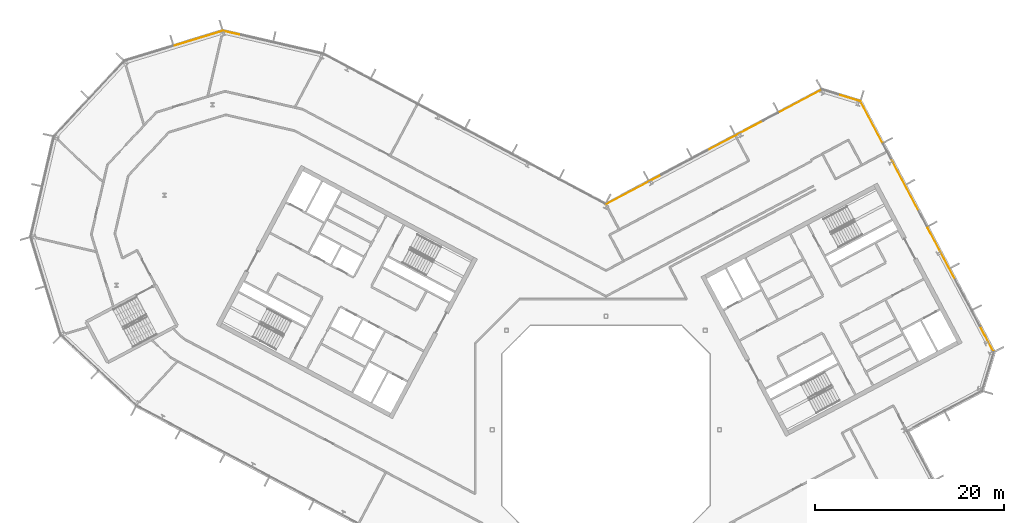
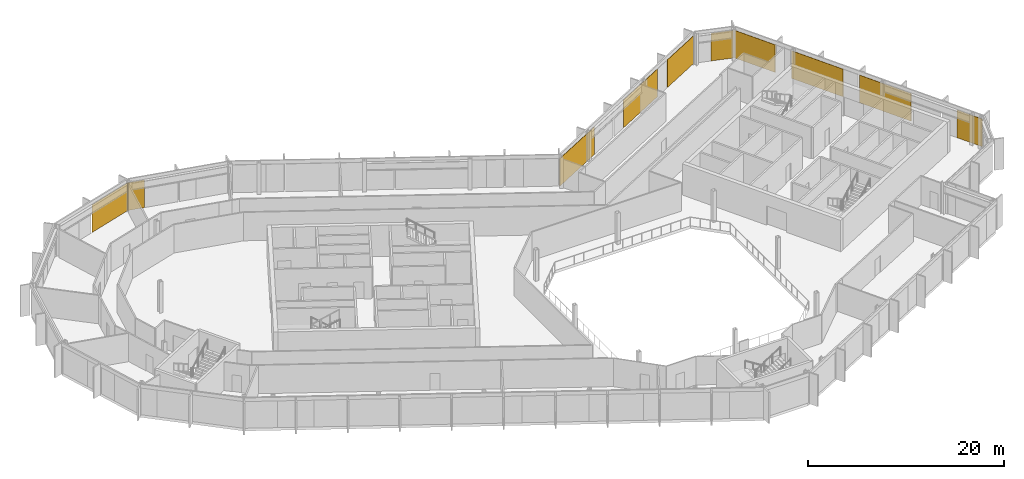
# One storey, part 26 of 26: 10 coverings, 5 elements without a shape of their own.
"""IFC4 building model written with IfcOpenShell, lengths in metres."""

from ifc_helpers import new_model, si_unit, direction, frame, origin, origin_2d, place, context, subcontext, project, spatial, rectangle, extrude, material, layer, layer_set, type_object, element, aggregate, save


model = new_model("IFC4")

# Units and contexts
model_context = context("Model", 3, precision=1e-05, world=origin(), true_north=direction((0.0, 1.0)))
body_context = subcontext(model_context, "Body", "Model", "MODEL_VIEW")
ifc_project = project(units=[si_unit("LENGTHUNIT", "METRE"), si_unit("AREAUNIT", "SQUARE_METRE"), si_unit("VOLUMEUNIT", "CUBIC_METRE"), si_unit("PLANEANGLEUNIT", "RADIAN"), si_unit("MASSUNIT", "GRAM", prefix="KILO")], contexts=[model_context])

# Site, building, storey
site_placement = place(None, origin())
site = spatial("IfcSite", under=ifc_project, at=site_placement, CompositionType="ELEMENT")
building_placement = place(site_placement, origin())
building = spatial("IfcBuilding", under=site, at=building_placement, Name="Cormorant Relay Tower", CompositionType="ELEMENT")
storey_placement = place(building_placement, frame((0.0, 0.0, 293.10009765625)))
storey = spatial("IfcBuildingStorey", under=building, at=storey_placement, Name="L66", CompositionType="ELEMENT", Elevation=293.10009765625)

# Curtain wall, coverings
ifc_material_1 = material(Name="Aluminium 6063-T6 anodised bronze", Category="aluminium")
ifc_layer_1 = layer(ifc_material_1, 0.199951171875)
ifc_layer_set_1 = layer_set([ifc_layer_1], Name="CW1 unitised bronze curtain wall with vertical fins")
curtain_wall_type = type_object("IfcCurtainWallType", Name="CW1 unitised bronze curtain wall with vertical fins", PredefinedType="NOTDEFINED", material=ifc_layer_set_1)
curtain_wall_1_placement = place(storey_placement, origin())
curtain_wall_1 = element("IfcCurtainWall", 1, at=curtain_wall_1_placement, inside=storey, type_object=curtain_wall_type, Name="CW1 curtain wall 6", PredefinedType="NOTDEFINED")
ifc_material_2 = material(Name="Pale bronze anodised aluminium insulated panel", Category="aluminium")
ifc_layer_2 = layer(ifc_material_2, 0.0400390625)
ifc_layer_set_2 = layer_set([ifc_layer_2], Name="CW1 pale bronze insulated panel 40")
covering_type = type_object("IfcCoveringType", Name="CW1 pale bronze insulated panel 40", PredefinedType="CLADDING", material=ifc_layer_set_2)
covering_1_placement = place(storey_placement, frame((40.218017578125, 9.605712890625, 0.0), z_axis=(0.0, 0.0, 1.0), x_axis=(-0.469471562786, 0.882947592859, 0.0)))
covering_1 = element("IfcCovering", 2, at=covering_1_placement, type_object=covering_type, Name="CW1 panel S00", PredefinedType="CLADDING", context=body_context, shape_type="SweptSolid", body=[
    extrude(rectangle(XDim=3.050048828125, YDim=0.0400390625, at=origin_2d()), origin(), (0.0, 0.0, 1.0), 3.449951171875),
])
covering_2_placement = place(storey_placement, frame((35.429443359375, 18.61181640625, 0.0), z_axis=(0.0, 0.0, 1.0), x_axis=(-0.469471562786, 0.882947592859, 0.0)))
covering_2 = element("IfcCovering", 3, at=covering_2_placement, type_object=covering_type, Name="CW1 panel S03", PredefinedType="CLADDING", context=body_context, shape_type="SweptSolid", body=[
    extrude(rectangle(XDim=6.25, YDim=0.0400390625, at=origin_2d()), origin(), (0.0, 0.0, 1.0), 3.449951171875),
])
covering_3_placement = place(storey_placement, frame((31.579833984375, 25.851806640625, 0.0), z_axis=(0.0, 0.0, 1.0), x_axis=(-0.469471562786, 0.882947592859, 0.0)))
covering_3 = element("IfcCovering", 4, at=covering_3_placement, type_object=covering_type, Name="CW1 panel S05", PredefinedType="CLADDING", context=body_context, shape_type="SweptSolid", body=[
    extrude(rectangle(XDim=6.25, YDim=0.0400390625, at=origin_2d()), origin(), (0.0, 0.0, 1.0), 3.449951171875),
])
covering_4_placement = place(storey_placement, frame((28.041015625, 32.507080078125, 0.0), z_axis=(0.0, 0.0, 1.0), x_axis=(-0.469471562786, 0.882947592859, 0.0)))
covering_4 = element("IfcCovering", 5, at=covering_4_placement, type_object=covering_type, Name="CW1 panel S07", PredefinedType="CLADDING", context=body_context, shape_type="SweptSolid", body=[
    extrude(rectangle(XDim=4.925048828125, YDim=0.0400390625, at=origin_2d()), origin(), (0.0, 0.0, 1.0), 3.449951171875),
])
aggregate(curtain_wall_1, [covering_1, covering_2, covering_3, covering_4])

# Curtain wall, covering
curtain_wall_2_placement = place(storey_placement, origin())
curtain_wall_2 = element("IfcCurtainWall", 6, at=curtain_wall_2_placement, inside=storey, type_object=curtain_wall_type, Name="CW1 curtain wall 7", PredefinedType="NOTDEFINED")
covering_5_placement = place(storey_placement, frame((25.66943359375, 35.05908203125, 0.0), z_axis=(0.0, 0.0, 1.0), x_axis=(-0.956304755963, 0.292371704723, 0.0)))
covering_5 = element("IfcCovering", 7, at=covering_5_placement, type_object=covering_type, Name="CW1 panel S00", PredefinedType="CLADDING", context=body_context, shape_type="SweptSolid", body=[
    extrude(rectangle(XDim=2.36767578125, YDim=0.0400390625, at=origin_2d()), origin(), (0.0, 0.0, 1.0), 3.449951171875),
])
aggregate(curtain_wall_2, [covering_5])

# Curtain wall, coverings
curtain_wall_3_placement = place(storey_placement, origin())
curtain_wall_3 = element("IfcCurtainWall", 8, at=curtain_wall_3_placement, inside=storey, type_object=curtain_wall_type, Name="CW1 curtain wall 8", PredefinedType="NOTDEFINED")
covering_6_placement = place(storey_placement, frame((20.519775390625, 34.71728515625, 0.0), z_axis=(0.0, 0.0, 1.0), x_axis=(-0.882947592859, -0.469471562786, 0.0)))
covering_6 = element("IfcCovering", 9, at=covering_6_placement, type_object=covering_type, Name="CW1 panel S00", PredefinedType="CLADDING", context=body_context, shape_type="SweptSolid", body=[
    extrude(rectangle(XDim=5.016845703125, YDim=0.0400390625, at=origin_2d()), origin(), (0.0, 0.0, 1.0), 3.449951171875),
])
covering_7_placement = place(storey_placement, frame((13.6767578125, 31.07861328125, 0.0), z_axis=(0.0, 0.0, 1.0), x_axis=(-0.882947592859, -0.469471562786, 0.0)))
covering_7 = element("IfcCovering", 10, at=covering_7_placement, type_object=covering_type, Name="CW1 panel S02", PredefinedType="CLADDING", context=body_context, shape_type="SweptSolid", body=[
    extrude(rectangle(XDim=6.58349609375, YDim=0.0400390625, at=origin_2d()), origin(), (0.0, 0.0, 1.0), 3.449951171875),
])
covering_8_placement = place(storey_placement, frame((2.93017578125, 25.36474609375, 0.0), z_axis=(0.0, 0.0, 1.0), x_axis=(-0.882947592859, -0.469471562786, 0.0)))
covering_8 = element("IfcCovering", 11, at=covering_8_placement, type_object=covering_type, Name="CW1 panel S05", PredefinedType="CLADDING", context=body_context, shape_type="SweptSolid", body=[
    extrude(rectangle(XDim=6.65869140625, YDim=0.0400390625, at=origin_2d()), origin(), (0.0, 0.0, 1.0), 3.449951171875),
])
aggregate(curtain_wall_3, [covering_6, covering_7, covering_8])

# Curtain wall, covering
curtain_wall_4_placement = place(storey_placement, origin())
curtain_wall_4 = element("IfcCurtainWall", 12, at=curtain_wall_4_placement, inside=storey, type_object=curtain_wall_type, Name="CW1 curtain wall 10", PredefinedType="NOTDEFINED")
covering_9_placement = place(storey_placement, frame((-39.603515625, 41.934814453125, 0.0), z_axis=(0.0, 0.0, 1.0), x_axis=(-0.974370064785, 0.224951054344, 0.0)))
covering_9 = element("IfcCovering", 13, at=covering_9_placement, type_object=covering_type, Name="CW1 panel S03", PredefinedType="CLADDING", context=body_context, shape_type="SweptSolid", body=[
    extrude(rectangle(XDim=1.76025390625, YDim=0.0400390625, at=origin_2d()), origin(), (0.0, 0.0, 1.0), 3.449951171875),
])
aggregate(curtain_wall_4, [covering_9])

curtain_wall_5_placement = place(storey_placement, origin())
curtain_wall_5 = element("IfcCurtainWall", 14, at=curtain_wall_5_placement, inside=storey, type_object=curtain_wall_type, Name="CW1 curtain wall 11", PredefinedType="NOTDEFINED")
covering_10_placement = place(storey_placement, frame((-43.0703125, 41.337890625, 0.0), z_axis=(0.0, 0.0, 1.0), x_axis=(-0.956304755963, -0.292371704723, 0.0)))
covering_10 = element("IfcCovering", 15, at=covering_10_placement, type_object=covering_type, Name="CW1 panel S00", PredefinedType="CLADDING", context=body_context, shape_type="SweptSolid", body=[
    extrude(rectangle(XDim=5.28515625, YDim=0.0400390625, at=origin_2d()), origin(), (0.0, 0.0, 1.0), 3.449951171875),
])
aggregate(curtain_wall_5, [covering_10])

save(model, "model.ifc")
